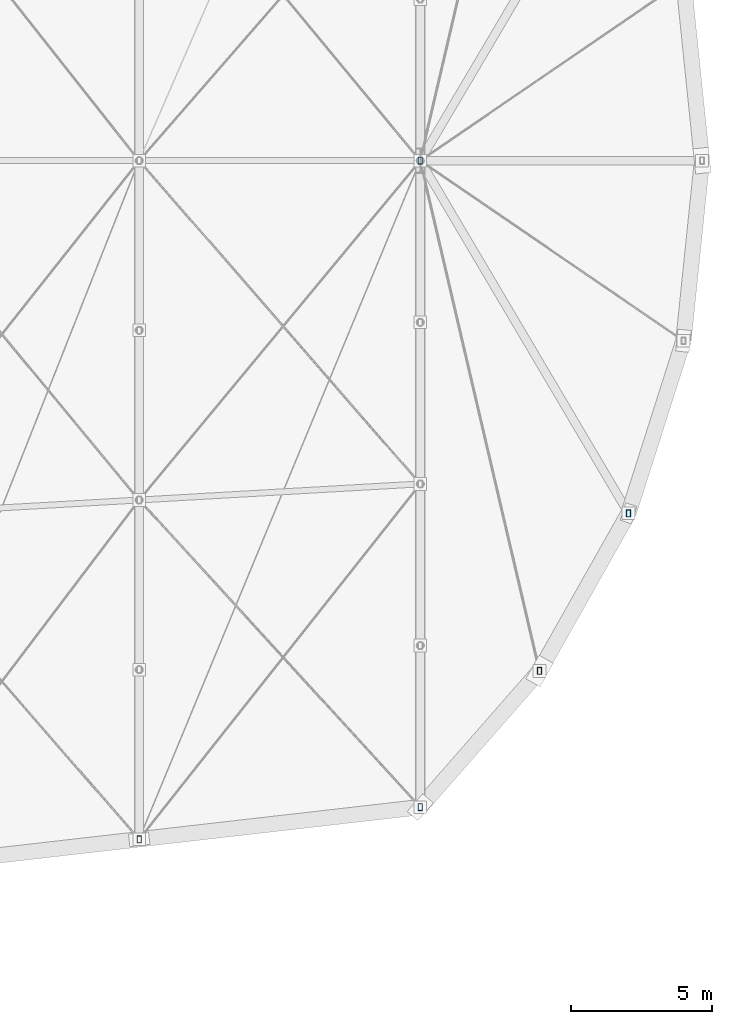
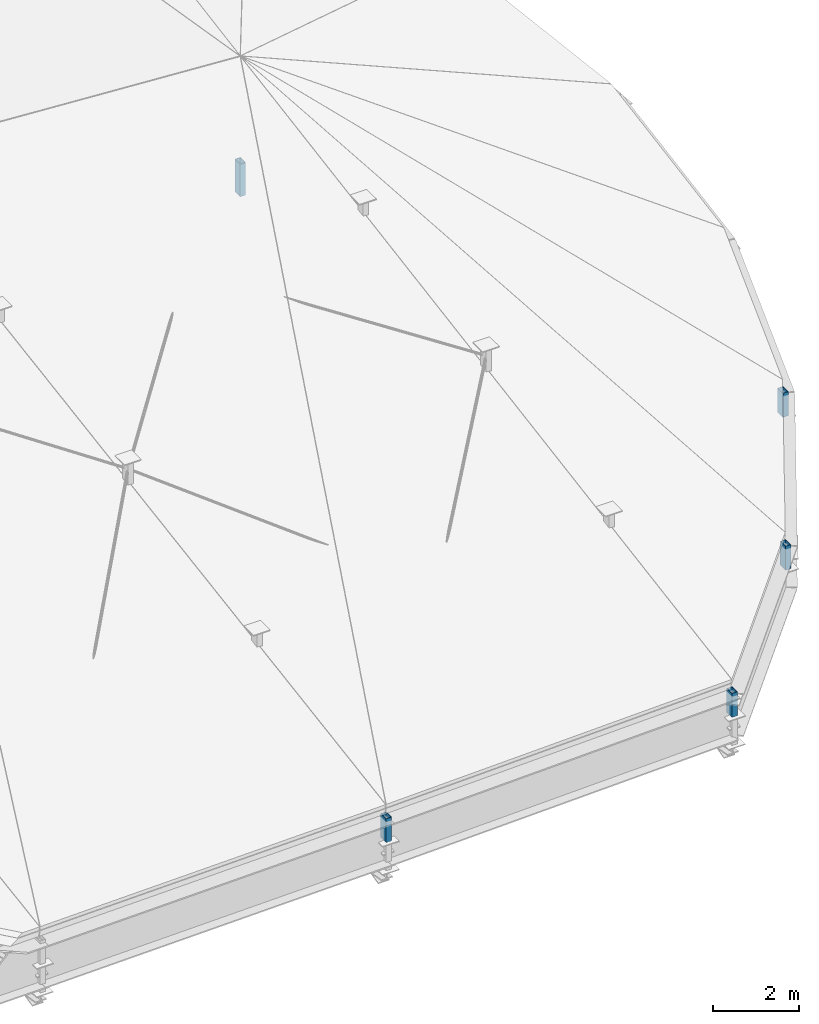
# One storey, part 47 of 68: 5 members.
"""IFC4 building model written with IfcOpenShell, lengths in metres."""

import ifcopenshell
import ifcopenshell.guid

model = None  # the IFC model being written
_history = None  # IfcOwnerHistory: only IFC2X3 demands one
_inside = {}  # id of a spatial element -> (the spatial element, [elements in it])
_under = {}  # id of a project, library or spatial element -> (it, [spatial elements below it])
_declared = {}  # id of a project -> (the project, [libraries it declares])
_typed = {}  # id of a type object -> (the type object, [elements of that type])
_made_of = {}  # id of a material, layer set ... -> (it, [elements and type objects made of it])


def new_model(schema):
    """Start an empty IFC model of exactly this schema.

    Asked for "IFC4X3", IfcOpenShell would pick the latest addendum, in which some entities
    have other attributes; the version numbers below select the first issue.
    IFC2X3 requires an IfcOwnerHistory on every rooted entity: one is made here for all.
    """
    global model, _history
    if schema == "IFC4X3":
        model = ifcopenshell.file(schema_version=(4, 3, 0, 0))
    else:
        model = ifcopenshell.file(schema=schema)
    _inside.clear()
    _under.clear()
    _declared.clear()
    _typed.clear()
    _made_of.clear()
    _history = None
    if model.schema == "IFC2X3":
        org = make("IfcOrganization", Name="unknown")
        user = make(
            "IfcPersonAndOrganization",
            ThePerson=make("IfcPerson", FamilyName="unknown"),
            TheOrganization=org,
        )
        app = make(
            "IfcApplication",
            ApplicationDeveloper=org,
            Version="unknown",
            ApplicationFullName="unknown",
            ApplicationIdentifier="unknown",
        )
        _history = make(
            "IfcOwnerHistory",
            OwningUser=user,
            OwningApplication=app,
            ChangeAction="ADDED",
            CreationDate=0,
        )
    return model


def make(cls, **values):
    """One entity of the class cls with the attributes given. An attribute that is None is left unset."""
    return model.create_entity(
        cls, **{name: value for name, value in values.items() if value is not None}
    )


def rooted(cls, **values):
    """An entity with a GlobalId (a new one), such as an element, a storey or a relation."""
    return make(cls, GlobalId=ifcopenshell.guid.new(), OwnerHistory=_history, **values)


def si_unit(unit_type, name, prefix=None):
    """IfcSIUnit, for example si_unit("LENGTHUNIT", "METRE", prefix="MILLI")."""
    return make("IfcSIUnit", UnitType=unit_type, Prefix=prefix, Name=name)


def assignment(units):
    """IfcUnitAssignment: the units of a project."""
    return None if units is None else make("IfcUnitAssignment", Units=units)


def point(xyz):
    """IfcCartesianPoint."""
    return None if xyz is None else make("IfcCartesianPoint", Coordinates=xyz)


def direction(xyz):
    """IfcDirection."""
    return None if xyz is None else make("IfcDirection", DirectionRatios=xyz)


def frame(location, z_axis=None, x_axis=None):
    """IfcAxis2Placement3D, a coordinate frame: its origin and axes. An axis left out is left unset."""
    return make(
        "IfcAxis2Placement3D",
        Location=point(location),
        Axis=direction(z_axis),
        RefDirection=direction(x_axis),
    )


def frame_2d(location, x_axis=None):
    """IfcAxis2Placement2D, a coordinate frame in the plane: its origin and x axis."""
    return make(
        "IfcAxis2Placement2D", Location=point(location), RefDirection=direction(x_axis)
    )


def origin():
    """The frame at (0, 0, 0) with its axes left unset."""
    return frame((0.0, 0.0, 0.0))


def origin_2d():
    """The frame at (0, 0) in the plane with its x axis left unset."""
    return frame_2d((0.0, 0.0))


def place(relative_to, where):
    """IfcLocalPlacement: puts the frame where relative to a parent placement (None: the world)."""
    return make(
        "IfcLocalPlacement", PlacementRelTo=relative_to, RelativePlacement=where
    )


def context(
    kind, dimensions, precision=None, world=None, true_north=None, identifier=None
):
    """IfcGeometricRepresentationContext, for example the 3D "Model" context."""
    return make(
        "IfcGeometricRepresentationContext",
        ContextIdentifier=identifier,
        ContextType=kind,
        CoordinateSpaceDimension=dimensions,
        Precision=precision,
        WorldCoordinateSystem=world,
        TrueNorth=true_north,
    )


def subcontext(parent, identifier, kind, view, scale=None):
    """IfcGeometricRepresentationSubContext, for example "Body" below "Model"."""
    return make(
        "IfcGeometricRepresentationSubContext",
        ContextIdentifier=identifier,
        ContextType=kind,
        ParentContext=parent,
        TargetScale=scale,
        TargetView=view,
    )


def project(units=None, contexts=None):
    """IfcProject with its units and contexts."""
    return rooted(
        "IfcProject",
        Name="project",
        RepresentationContexts=contexts,
        UnitsInContext=assignment(units),
    )


def spatial(cls, under=None, at=None, **own):
    """A site, building, storey or space (cls), placed at a placement, below another one or the project."""
    s = rooted(cls, ObjectPlacement=at, **own)
    if under is not None:
        _under.setdefault(under.id(), (under, []))[1].append(s)
    return s


def profile(cls, at=None, kind="AREA", **sizes):
    """A parametric profile (cls). Its sizes go by their IFC names, for example OverallWidth=200.0."""
    return make(cls, ProfileType=kind, Position=at, **sizes)


def hollow_rectangle(**sizes):
    """IfcRectangleHollowProfileDef."""
    return profile("IfcRectangleHollowProfileDef", **sizes)


def extrude(swept, where, along, depth):
    """IfcExtrudedAreaSolid: the profile swept, set in the frame where, extruded along a direction by depth."""
    return make(
        "IfcExtrudedAreaSolid",
        SweptArea=swept,
        Position=where,
        ExtrudedDirection=direction(along),
        Depth=depth,
    )


def shape(context_of_items, identifier, shape_type, items):
    """IfcShapeRepresentation: the items that make up one representation, for example the "Body"."""
    return make(
        "IfcShapeRepresentation",
        ContextOfItems=context_of_items,
        RepresentationIdentifier=identifier,
        RepresentationType=shape_type,
        Items=items,
    )


def material(Name=None, Category=None):
    """IfcMaterial."""
    return make("IfcMaterial", Name=Name, Category=Category)


def material_profile(
    of_material, cross_section, Name=None, Category=None, Priority=None
):
    """IfcMaterialProfile: a cross section and its material."""
    return make(
        "IfcMaterialProfile",
        Name=Name,
        Material=of_material,
        Profile=cross_section,
        Priority=Priority,
        Category=Category,
    )


def profile_set(profiles, Name=None, composite=None):
    """IfcMaterialProfileSet."""
    return make(
        "IfcMaterialProfileSet",
        Name=Name,
        MaterialProfiles=profiles,
        CompositeProfile=composite,
    )


def made_of(thing, what):
    """Note that an element or type object is made of a material, layer set ...; save() writes the relation."""
    if what is not None:
        _made_of.setdefault(what.id(), (what, []))[1].append(thing)
    return thing


def type_object(cls, material=None, **own):
    """A type object (cls), such as IfcWallType, which elements share."""
    return made_of(rooted(cls, **own), material)


def element(
    cls,
    number,
    at=None,
    inside=None,
    cuts=None,
    type_object=None,
    material=None,
    context=None,
    identifier="Body",
    shape_type=None,
    held_by="IfcProductDefinitionShape",
    body=None,
    shapes=None,
    **own,
):
    """One element of the class cls, such as IfcWall. Its Tag is "e" and its number.

    at: its placement. inside: the storey or other place that contains it. cuts: it is an
    opening in that element (IfcRelVoidsElement). A single representation is given by context,
    identifier, shape_type and body (its items); several are given by shapes. held_by: the class
    of the entity that holds the representations. save() writes the other relations.
    """
    e = rooted(cls, Tag="e%d" % number, ObjectPlacement=at, **own)
    if body is not None:
        shapes = [shape(context, identifier, shape_type, body)]
    if shapes is not None:
        e.Representation = make(held_by, Representations=shapes)
    if inside is not None:
        _inside.setdefault(inside.id(), (inside, []))[1].append(e)
    if cuts is not None:
        rooted(
            "IfcRelVoidsElement", RelatingBuildingElement=cuts, RelatedOpeningElement=e
        )
    if type_object is not None:
        _typed.setdefault(type_object.id(), (type_object, []))[1].append(e)
    return made_of(e, material)


def aggregate(whole, parts):
    """IfcRelAggregates: a whole, such as a stair, and the parts it consists of."""
    return rooted("IfcRelAggregates", RelatingObject=whole, RelatedObjects=parts)


def save(model, path):
    """Write the relations noted so far, then the file.

    IfcRelAggregates (storeys below a building ...), IfcRelContainedInSpatialStructure (elements
    in a storey), IfcRelDefinesByType, IfcRelAssociatesMaterial and IfcRelDeclares: one each for
    every whole, place, type object, material and project.
    """
    for whole, parts in _under.values():
        aggregate(whole, parts)
    for where, things in _inside.values():
        rooted(
            "IfcRelContainedInSpatialStructure",
            RelatedElements=things,
            RelatingStructure=where,
        )
    for kind, things in _typed.values():
        rooted("IfcRelDefinesByType", RelatedObjects=things, RelatingType=kind)
    for what, things in _made_of.values():
        rooted("IfcRelAssociatesMaterial", RelatedObjects=things, RelatingMaterial=what)
    for by, libraries in _declared.values():
        rooted("IfcRelDeclares", RelatingContext=by, RelatedDefinitions=libraries)
    model.write(path)


model = new_model("IFC4")

# Units and contexts
model_context = context("Model", 3, precision=1e-05, world=origin(), true_north=direction((0.0, 1.0)))
body_context = subcontext(model_context, "Body", "Model", "MODEL_VIEW")
ifc_project = project(units=[si_unit("LENGTHUNIT", "METRE"), si_unit("AREAUNIT", "SQUARE_METRE"), si_unit("VOLUMEUNIT", "CUBIC_METRE"), si_unit("PLANEANGLEUNIT", "RADIAN"), si_unit("MASSUNIT", "GRAM", prefix="KILO")], contexts=[model_context])

# Site, building, storey
site_placement = place(None, origin())
site = spatial("IfcSite", under=ifc_project, at=site_placement, CompositionType="ELEMENT")
building_placement = place(site_placement, origin())
building = spatial("IfcBuilding", under=site, at=building_placement, Name="Sohan Crest Arena", CompositionType="ELEMENT")
storey_placement = place(building_placement, frame((0.0, 0.0, 27.0)))
storey = spatial("IfcBuildingStorey", under=building, at=storey_placement, Name="RF", CompositionType="ELEMENT", Elevation=27.0)

# Members
ifc_material = material(Name="Steel S355", Category="steel")
ifc_material_profile = material_profile(ifc_material, hollow_rectangle(XDim=0.14990234375, YDim=0.25, WallThickness=0.010009765625, at=origin_2d()), Name="RHS 250x150x10")
ifc_profile_set = profile_set([ifc_material_profile], Name="Steel S355")
member_type = type_object("IfcMemberType", Name="STR-MEM-CH02", PredefinedType="CHORD", material=ifc_profile_set)
member_1_placement = place(storey_placement, frame((158.0, 53.85693359375, -2.701904296875), z_axis=(0.0, 0.0, 1.0), x_axis=(1.0, 0.0, 0.0)))
element("IfcMember", 1, at=member_1_placement, inside=storey, type_object=member_type, Name="Ring beam roof bearing saddle chord RSR-19", PredefinedType="CHORD", context=body_context, shape_type="SweptSolid", body=[
    extrude(hollow_rectangle(XDim=0.14990234375, YDim=0.25, WallThickness=0.010009765625, at=origin_2d()), origin(), (0.0, 0.0, 1.0), 0.684814453125),
])
member_2_placement = place(storey_placement, frame((168.0, 55.0, -3.321044921875), z_axis=(0.0, 0.0, 1.0), x_axis=(1.0, 0.0, 0.0)))
element("IfcMember", 2, at=member_2_placement, inside=storey, type_object=member_type, Name="Ring beam roof bearing saddle chord RSR-20", PredefinedType="CHORD", context=body_context, shape_type="SweptSolid", body=[
    extrude(hollow_rectangle(XDim=0.14990234375, YDim=0.25, WallThickness=0.010009765625, at=origin_2d()), origin(), (0.0, 0.0, 1.0), 0.68505859375),
])
member_3_placement = place(storey_placement, frame((172.242919921875, 59.845947265625, -3.544921875), z_axis=(0.0, 0.0, 1.0), x_axis=(1.0, 0.0, 0.0)))
element("IfcMember", 3, at=member_3_placement, inside=storey, type_object=member_type, Name="Ring beam roof bearing saddle chord RSR-21", PredefinedType="CHORD", context=body_context, shape_type="SweptSolid", body=[
    extrude(hollow_rectangle(XDim=0.14990234375, YDim=0.25, WallThickness=0.010009765625, at=origin_2d()), origin(), (0.0, 0.0, 1.0), 0.684814453125),
])
member_4_placement = place(storey_placement, frame((175.408935546875, 65.455078125, -3.68701171875), z_axis=(0.0, 0.0, 1.0), x_axis=(1.0, 0.0, 0.0)))
element("IfcMember", 4, at=member_4_placement, inside=storey, type_object=member_type, Name="Ring beam roof bearing saddle chord RSR-22", PredefinedType="CHORD", context=body_context, shape_type="SweptSolid", body=[
    extrude(hollow_rectangle(XDim=0.14990234375, YDim=0.25, WallThickness=0.010009765625, at=origin_2d()), origin(), (0.0, 0.0, 1.0), 0.68505859375),
])
member_5_placement = place(storey_placement, frame((168.0, 78.0, -2.405029296875), z_axis=(0.0, 0.0, 1.0), x_axis=(1.0, 0.0, 0.0)))
element("IfcMember", 5, at=member_5_placement, inside=storey, type_object=member_type, Name="Crown bearing saddle chord RSP-EC", PredefinedType="CHORD", context=body_context, shape_type="SweptSolid", body=[
    extrude(hollow_rectangle(XDim=0.14990234375, YDim=0.25, WallThickness=0.010009765625, at=origin_2d()), origin(), (0.0, 0.0, 1.0), 0.929931640625),
])

save(model, "model.ifc")
